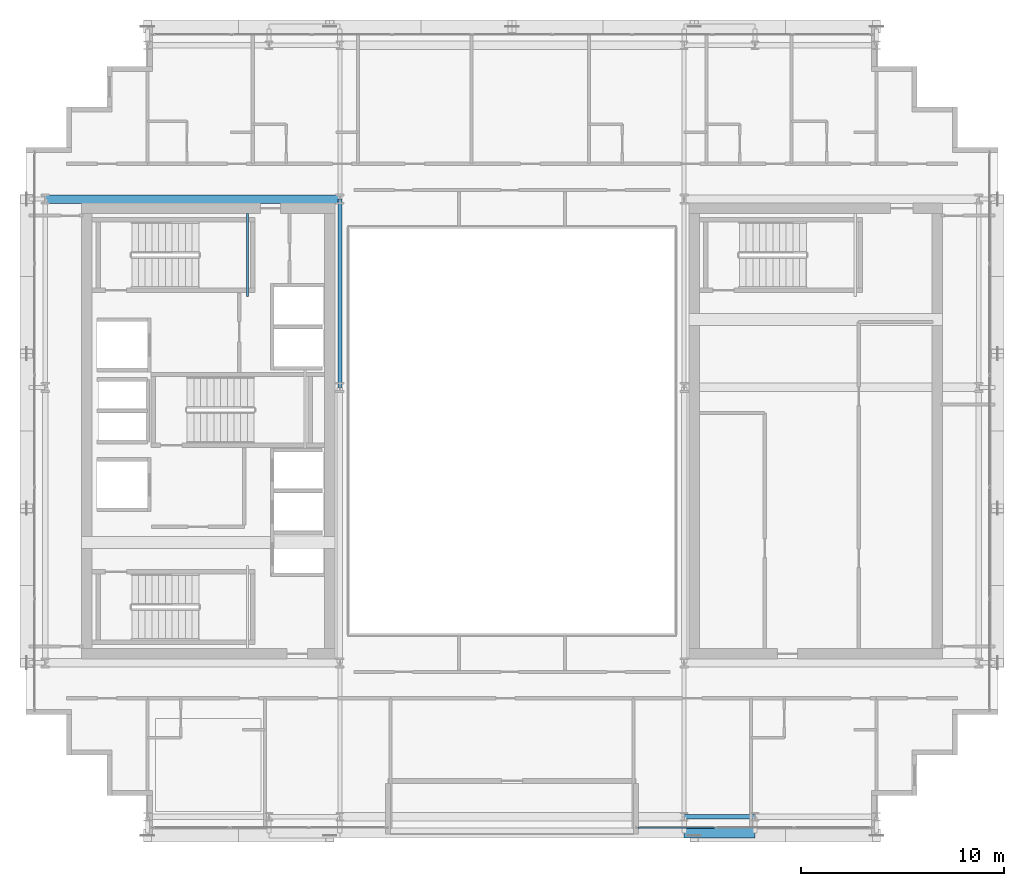
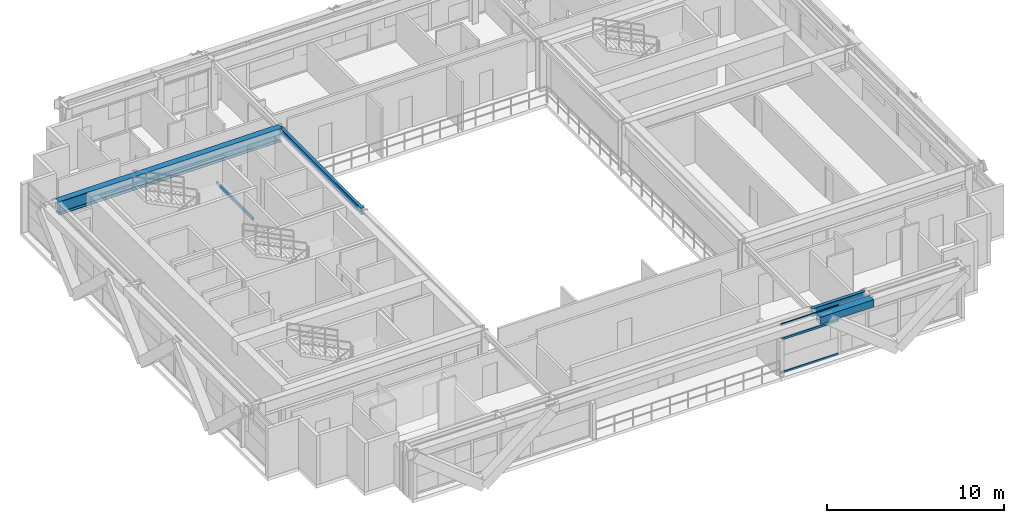
# One storey, part 9 of 32: 5 beams, 3 members, 1 element without a shape of its own.
"""IFC4 building model written with IfcOpenShell, lengths in metres."""

import ifcopenshell
import ifcopenshell.guid

model = None  # the IFC model being written
_history = None  # IfcOwnerHistory: only IFC2X3 demands one
_inside = {}  # id of a spatial element -> (the spatial element, [elements in it])
_under = {}  # id of a project, library or spatial element -> (it, [spatial elements below it])
_declared = {}  # id of a project -> (the project, [libraries it declares])
_typed = {}  # id of a type object -> (the type object, [elements of that type])
_made_of = {}  # id of a material, layer set ... -> (it, [elements and type objects made of it])


def new_model(schema):
    """Start an empty IFC model of exactly this schema.

    Asked for "IFC4X3", IfcOpenShell would pick the latest addendum, in which some entities
    have other attributes; the version numbers below select the first issue.
    IFC2X3 requires an IfcOwnerHistory on every rooted entity: one is made here for all.
    """
    global model, _history
    if schema == "IFC4X3":
        model = ifcopenshell.file(schema_version=(4, 3, 0, 0))
    else:
        model = ifcopenshell.file(schema=schema)
    _inside.clear()
    _under.clear()
    _declared.clear()
    _typed.clear()
    _made_of.clear()
    _history = None
    if model.schema == "IFC2X3":
        org = make("IfcOrganization", Name="unknown")
        user = make(
            "IfcPersonAndOrganization",
            ThePerson=make("IfcPerson", FamilyName="unknown"),
            TheOrganization=org,
        )
        app = make(
            "IfcApplication",
            ApplicationDeveloper=org,
            Version="unknown",
            ApplicationFullName="unknown",
            ApplicationIdentifier="unknown",
        )
        _history = make(
            "IfcOwnerHistory",
            OwningUser=user,
            OwningApplication=app,
            ChangeAction="ADDED",
            CreationDate=0,
        )
    return model


def make(cls, **values):
    """One entity of the class cls with the attributes given. An attribute that is None is left unset."""
    return model.create_entity(
        cls, **{name: value for name, value in values.items() if value is not None}
    )


def rooted(cls, **values):
    """An entity with a GlobalId (a new one), such as an element, a storey or a relation."""
    return make(cls, GlobalId=ifcopenshell.guid.new(), OwnerHistory=_history, **values)


def si_unit(unit_type, name, prefix=None):
    """IfcSIUnit, for example si_unit("LENGTHUNIT", "METRE", prefix="MILLI")."""
    return make("IfcSIUnit", UnitType=unit_type, Prefix=prefix, Name=name)


def assignment(units):
    """IfcUnitAssignment: the units of a project."""
    return None if units is None else make("IfcUnitAssignment", Units=units)


def point(xyz):
    """IfcCartesianPoint."""
    return None if xyz is None else make("IfcCartesianPoint", Coordinates=xyz)


def direction(xyz):
    """IfcDirection."""
    return None if xyz is None else make("IfcDirection", DirectionRatios=xyz)


def frame(location, z_axis=None, x_axis=None):
    """IfcAxis2Placement3D, a coordinate frame: its origin and axes. An axis left out is left unset."""
    return make(
        "IfcAxis2Placement3D",
        Location=point(location),
        Axis=direction(z_axis),
        RefDirection=direction(x_axis),
    )


def frame_2d(location, x_axis=None):
    """IfcAxis2Placement2D, a coordinate frame in the plane: its origin and x axis."""
    return make(
        "IfcAxis2Placement2D", Location=point(location), RefDirection=direction(x_axis)
    )


def origin():
    """The frame at (0, 0, 0) with its axes left unset."""
    return frame((0.0, 0.0, 0.0))


def origin_2d():
    """The frame at (0, 0) in the plane with its x axis left unset."""
    return frame_2d((0.0, 0.0))


def place(relative_to, where):
    """IfcLocalPlacement: puts the frame where relative to a parent placement (None: the world)."""
    return make(
        "IfcLocalPlacement", PlacementRelTo=relative_to, RelativePlacement=where
    )


def context(
    kind, dimensions, precision=None, world=None, true_north=None, identifier=None
):
    """IfcGeometricRepresentationContext, for example the 3D "Model" context."""
    return make(
        "IfcGeometricRepresentationContext",
        ContextIdentifier=identifier,
        ContextType=kind,
        CoordinateSpaceDimension=dimensions,
        Precision=precision,
        WorldCoordinateSystem=world,
        TrueNorth=true_north,
    )


def subcontext(parent, identifier, kind, view, scale=None):
    """IfcGeometricRepresentationSubContext, for example "Body" below "Model"."""
    return make(
        "IfcGeometricRepresentationSubContext",
        ContextIdentifier=identifier,
        ContextType=kind,
        ParentContext=parent,
        TargetScale=scale,
        TargetView=view,
    )


def project(units=None, contexts=None):
    """IfcProject with its units and contexts."""
    return rooted(
        "IfcProject",
        Name="project",
        RepresentationContexts=contexts,
        UnitsInContext=assignment(units),
    )


def spatial(cls, under=None, at=None, **own):
    """A site, building, storey or space (cls), placed at a placement, below another one or the project."""
    s = rooted(cls, ObjectPlacement=at, **own)
    if under is not None:
        _under.setdefault(under.id(), (under, []))[1].append(s)
    return s


def profile(cls, at=None, kind="AREA", **sizes):
    """A parametric profile (cls). Its sizes go by their IFC names, for example OverallWidth=200.0."""
    return make(cls, ProfileType=kind, Position=at, **sizes)


def hollow_rectangle(**sizes):
    """IfcRectangleHollowProfileDef."""
    return profile("IfcRectangleHollowProfileDef", **sizes)


def i_section(**sizes):
    """IfcIShapeProfileDef."""
    return profile("IfcIShapeProfileDef", **sizes)


def extrude(swept, where, along, depth):
    """IfcExtrudedAreaSolid: the profile swept, set in the frame where, extruded along a direction by depth."""
    return make(
        "IfcExtrudedAreaSolid",
        SweptArea=swept,
        Position=where,
        ExtrudedDirection=direction(along),
        Depth=depth,
    )


def shape(context_of_items, identifier, shape_type, items):
    """IfcShapeRepresentation: the items that make up one representation, for example the "Body"."""
    return make(
        "IfcShapeRepresentation",
        ContextOfItems=context_of_items,
        RepresentationIdentifier=identifier,
        RepresentationType=shape_type,
        Items=items,
    )


def source(mapping_origin, context_of_items, identifier, shape_type, items):
    """IfcRepresentationMap: a shape defined once, which mapped items show again and again."""
    return make(
        "IfcRepresentationMap",
        MappingOrigin=mapping_origin,
        MappedRepresentation=shape(context_of_items, identifier, shape_type, items),
    )


def transform(
    local_origin,
    x_axis=None,
    y_axis=None,
    z_axis=None,
    scale=None,
    scale2=None,
    scale3=None,
    uniform=True,
):
    """IfcCartesianTransformationOperator3D, or its non-uniform kind. x_axis, y_axis, z_axis: its Axis1, 2, 3."""
    if uniform:
        return make(
            "IfcCartesianTransformationOperator3D",
            Axis1=direction(x_axis),
            Axis2=direction(y_axis),
            LocalOrigin=point(local_origin),
            Scale=scale,
            Axis3=direction(z_axis),
        )
    return make(
        "IfcCartesianTransformationOperator3DnonUniform",
        Axis1=direction(x_axis),
        Axis2=direction(y_axis),
        LocalOrigin=point(local_origin),
        Scale=scale,
        Axis3=direction(z_axis),
        Scale2=scale2,
        Scale3=scale3,
    )


def mapped(mapping_source, mapping_target):
    """IfcMappedItem: shows the shape of a source again, moved by a transform."""
    return make(
        "IfcMappedItem", MappingSource=mapping_source, MappingTarget=mapping_target
    )


def material(Name=None, Category=None):
    """IfcMaterial."""
    return make("IfcMaterial", Name=Name, Category=Category)


def layer(
    of_material, thickness, ventilated=None, Name=None, Category=None, Priority=None
):
    """IfcMaterialLayer: one layer of a wall or slab, of a material (None: an air gap)."""
    return make(
        "IfcMaterialLayer",
        Material=of_material,
        LayerThickness=thickness,
        IsVentilated=ventilated,
        Name=Name,
        Category=Category,
        Priority=Priority,
    )


def layer_set(layers, Name=None):
    """IfcMaterialLayerSet."""
    return make("IfcMaterialLayerSet", MaterialLayers=layers, LayerSetName=Name)


def material_profile(
    of_material, cross_section, Name=None, Category=None, Priority=None
):
    """IfcMaterialProfile: a cross section and its material."""
    return make(
        "IfcMaterialProfile",
        Name=Name,
        Material=of_material,
        Profile=cross_section,
        Priority=Priority,
        Category=Category,
    )


def profile_set(profiles, Name=None, composite=None):
    """IfcMaterialProfileSet."""
    return make(
        "IfcMaterialProfileSet",
        Name=Name,
        MaterialProfiles=profiles,
        CompositeProfile=composite,
    )


def made_of(thing, what):
    """Note that an element or type object is made of a material, layer set ...; save() writes the relation."""
    if what is not None:
        _made_of.setdefault(what.id(), (what, []))[1].append(thing)
    return thing


def type_object(cls, material=None, **own):
    """A type object (cls), such as IfcWallType, which elements share."""
    return made_of(rooted(cls, **own), material)


def element(
    cls,
    number,
    at=None,
    inside=None,
    cuts=None,
    type_object=None,
    material=None,
    context=None,
    identifier="Body",
    shape_type=None,
    held_by="IfcProductDefinitionShape",
    body=None,
    shapes=None,
    **own,
):
    """One element of the class cls, such as IfcWall. Its Tag is "e" and its number.

    at: its placement. inside: the storey or other place that contains it. cuts: it is an
    opening in that element (IfcRelVoidsElement). A single representation is given by context,
    identifier, shape_type and body (its items); several are given by shapes. held_by: the class
    of the entity that holds the representations. save() writes the other relations.
    """
    e = rooted(cls, Tag="e%d" % number, ObjectPlacement=at, **own)
    if body is not None:
        shapes = [shape(context, identifier, shape_type, body)]
    if shapes is not None:
        e.Representation = make(held_by, Representations=shapes)
    if inside is not None:
        _inside.setdefault(inside.id(), (inside, []))[1].append(e)
    if cuts is not None:
        rooted(
            "IfcRelVoidsElement", RelatingBuildingElement=cuts, RelatedOpeningElement=e
        )
    if type_object is not None:
        _typed.setdefault(type_object.id(), (type_object, []))[1].append(e)
    return made_of(e, material)


def aggregate(whole, parts):
    """IfcRelAggregates: a whole, such as a stair, and the parts it consists of."""
    return rooted("IfcRelAggregates", RelatingObject=whole, RelatedObjects=parts)


def save(model, path):
    """Write the relations noted so far, then the file.

    IfcRelAggregates (storeys below a building ...), IfcRelContainedInSpatialStructure (elements
    in a storey), IfcRelDefinesByType, IfcRelAssociatesMaterial and IfcRelDeclares: one each for
    every whole, place, type object, material and project.
    """
    for whole, parts in _under.values():
        aggregate(whole, parts)
    for where, things in _inside.values():
        rooted(
            "IfcRelContainedInSpatialStructure",
            RelatedElements=things,
            RelatingStructure=where,
        )
    for kind, things in _typed.values():
        rooted("IfcRelDefinesByType", RelatedObjects=things, RelatingType=kind)
    for what, things in _made_of.values():
        rooted("IfcRelAssociatesMaterial", RelatedObjects=things, RelatingMaterial=what)
    for by, libraries in _declared.values():
        rooted("IfcRelDeclares", RelatingContext=by, RelatedDefinitions=libraries)
    model.write(path)


model = new_model("IFC4")

# Units and contexts
model_context = context("Model", 3, precision=1e-05, world=origin(), true_north=direction((0.0, 1.0)))
body_context = subcontext(model_context, "Body", "Model", "MODEL_VIEW")
ifc_project = project(units=[si_unit("LENGTHUNIT", "METRE"), si_unit("AREAUNIT", "SQUARE_METRE"), si_unit("VOLUMEUNIT", "CUBIC_METRE"), si_unit("PLANEANGLEUNIT", "RADIAN"), si_unit("MASSUNIT", "GRAM", prefix="KILO")], contexts=[model_context])

# Site, building, storey
site_placement = place(None, origin())
site = spatial("IfcSite", under=ifc_project, at=site_placement, CompositionType="ELEMENT")
building_placement = place(site_placement, origin())
building = spatial("IfcBuilding", under=site, at=building_placement, Name="Ocotamira Hotel", CompositionType="ELEMENT")
storey_placement = place(building_placement, frame((0.0, 0.0, 184.800048828125)))
storey = spatial("IfcBuildingStorey", under=building, at=storey_placement, Name="L46", CompositionType="ELEMENT", Elevation=184.800048828125)

# Beams
ifc_material_1 = material(Name="Steel ASTM A500 Grade C", Category="steel")
ifc_material_profile_1 = material_profile(ifc_material_1, hollow_rectangle(XDim=0.10009765625, YDim=0.199951171875, WallThickness=0.008056640625, at=origin_2d()), Name="HSS200X100X8")
ifc_profile_set_1 = profile_set([ifc_material_profile_1], Name="Steel ASTM A500 Grade C")
beam_type_1 = type_object("IfcBeamType", Name="BM-STLDG-HSS200", PredefinedType="BEAM", material=ifc_profile_set_1)
shared_shape_1 = source(origin(), body_context, "Body", "SweptSolid", [
    extrude(hollow_rectangle(XDim=0.10009765625, YDim=0.199951171875, WallThickness=0.008056640625, at=origin_2d()), origin(), (0.0, 0.0, 1.0), 4.1201171875),
])
beam_1_placement = place(storey_placement, frame((18.949951171875, 32.6298828125, 1.5), z_axis=(0.0, 1.0, 0.0), x_axis=(-1.0, 0.0, 0.0)))
element("IfcBeam", 1, at=beam_1_placement, inside=storey, type_object=beam_type_1, Name="L46 Stair ST-2 Landing Bearer 1", PredefinedType="BEAM", context=body_context, shape_type="MappedRepresentation", body=[
    mapped(shared_shape_1, transform((0.0, 0.0, 0.0), scale=1.0)),
])
ifc_material_2 = material(Name="Steel ASTM A992 Grade 50", Category="steel")
ifc_material_profile_2 = material_profile(ifc_material_2, i_section(OverallWidth=0.41796875, OverallDepth=0.927001953125, WebThickness=0.019287109375, FlangeThickness=0.031982421875, FilletRadius=0.02392578125, at=origin_2d()), Name="W36X231")
ifc_profile_set_2 = profile_set([ifc_material_profile_2], Name="Steel ASTM A992 Grade 50")
beam_type_2 = type_object("IfcBeamType", Name="BM-GIRD-W36X231", PredefinedType="BEAM", material=ifc_profile_set_2)
shared_shape_2 = source(origin(), body_context, "Body", "SweptSolid", [
    extrude(i_section(OverallWidth=0.41796875, OverallDepth=0.927001953125, WebThickness=0.019287109375, FlangeThickness=0.031982421875, FilletRadius=0.02392578125, at=origin_2d()), origin(), (0.0, 0.0, 1.0), 14.550048828125),
])
beam_2_placement = place(storey_placement, frame((8.949951171875, 37.449951171875, 2.906494140625), z_axis=(1.0, 0.0, 0.0), x_axis=(0.0, 1.0, 0.0)))
element("IfcBeam", 2, at=beam_2_placement, inside=storey, type_object=beam_type_2, Name="L46 Girder Y37.45 X8.95-23.5", PredefinedType="BEAM", context=body_context, shape_type="MappedRepresentation", body=[
    mapped(shared_shape_2, transform((0.0, 0.0, 0.0), scale=1.0)),
])
ifc_material_profile_3 = material_profile(ifc_material_2, i_section(OverallWidth=0.2099609375, OverallDepth=0.537109375, WebThickness=0.010986328125, FlangeThickness=0.017333984375, FilletRadius=0.012939453125, at=origin_2d()), Name="W21X68")
ifc_profile_set_3 = profile_set([ifc_material_profile_3], Name="Steel ASTM A992 Grade 50")
beam_type_3 = type_object("IfcBeamType", Name="BM-SEC-W21X68", PredefinedType="JOIST", material=ifc_profile_set_3)
shared_shape_3 = source(origin(), body_context, "Body", "SweptSolid", [
    extrude(i_section(OverallWidth=0.2099609375, OverallDepth=0.537109375, WebThickness=0.010986328125, FlangeThickness=0.017333984375, FilletRadius=0.012939453125, at=origin_2d()), origin(), (0.0, 0.0, 1.0), 3.5),
])
beam_3_placement = place(storey_placement, frame((40.5, 6.949951171875, 3.1015625), z_axis=(1.0, 0.0, 0.0), x_axis=(0.0, 1.0, 0.0)))
element("IfcBeam", 3, at=beam_3_placement, inside=storey, type_object=beam_type_3, Name="L46 Girder Y6.95 X40.5-44", PredefinedType="JOIST", context=body_context, shape_type="MappedRepresentation", body=[
    mapped(shared_shape_3, transform((0.0, 0.0, 0.0), scale=1.0)),
])
ifc_material_profile_4 = material_profile(ifc_material_2, i_section(OverallWidth=0.18994140625, OverallDepth=0.45703125, WebThickness=0.009033203125, FlangeThickness=0.014404296875, FilletRadius=0.010009765625, at=origin_2d()), Name="W18X50")
ifc_profile_set_4 = profile_set([ifc_material_profile_4], Name="Steel ASTM A992 Grade 50")
beam_type_4 = type_object("IfcBeamType", Name="BM-SEC-W18X50", PredefinedType="JOIST", material=ifc_profile_set_4)
shared_shape_4 = source(origin(), body_context, "Body", "SweptSolid", [
    extrude(i_section(OverallWidth=0.18994140625, OverallDepth=0.45703125, WebThickness=0.009033203125, FlangeThickness=0.014404296875, FilletRadius=0.010009765625, at=origin_2d()), origin(), (0.0, 0.0, 1.0), 9.300048828125),
])
beam_4_placement = place(storey_placement, frame((23.5, 28.14990234375, 3.141357421875), z_axis=(0.0, 1.0, 0.0), x_axis=(-1.0, 0.0, 0.0)))
element("IfcBeam", 4, at=beam_4_placement, inside=storey, type_object=beam_type_4, Name="L46 Beam X23.5 Y28.15-37.45", PredefinedType="JOIST", context=body_context, shape_type="MappedRepresentation", body=[
    mapped(shared_shape_4, transform((0.0, 0.0, 0.0), scale=1.0)),
])
ifc_material_profile_5 = material_profile(ifc_material_1, hollow_rectangle(XDim=0.5, YDim=0.5, WallThickness=0.02001953125, at=origin_2d()), Name="HSS500X500X20")
ifc_profile_set_5 = profile_set([ifc_material_profile_5], Name="Steel ASTM A500 Grade C")
beam_type_5 = type_object("IfcBeamType", Name="BM-SPAN-HSS500", PredefinedType="USERDEFINED", material=ifc_profile_set_5)
shared_shape_5 = source(origin(), body_context, "Body", "SweptSolid", [
    extrude(hollow_rectangle(XDim=0.5, YDim=0.5, WallThickness=0.02001953125, at=origin_2d()), origin(), (0.0, 0.0, 1.0), 3.5),
])
beam_5_placement = place(storey_placement, frame((40.5, 6.14990234375, 3.119873046875), z_axis=(1.0, 0.0, 0.0), x_axis=(0.0, 1.0, 0.0)))
element("IfcBeam", 5, at=beam_5_placement, inside=storey, type_object=beam_type_5, Name="L46 Edge Spandrel S X40.5-44", ObjectType="SPANDREL", PredefinedType="USERDEFINED", context=body_context, shape_type="MappedRepresentation", body=[
    mapped(shared_shape_5, transform((0.0, 0.0, 0.0), scale=1.0)),
])

# Curtain wall, members
ifc_material_3 = material(Name="Anodised pale-metal aluminium and solar glass", Category="aluminium")
ifc_layer = layer(ifc_material_3, 0.199951171875)
ifc_layer_set = layer_set([ifc_layer], Name="Anodised pale-metal aluminium and solar glass")
curtain_wall_type = type_object("IfcCurtainWallType", Name="CW-SYS4-Z3", PredefinedType="NOTDEFINED", material=ifc_layer_set)
curtain_wall_placement = place(storey_placement, origin())
curtain_wall = element("IfcCurtainWall", 6, at=curtain_wall_placement, inside=storey, type_object=curtain_wall_type, Name="L46 Curtain Wall CW-4 CW-L46-S2", PredefinedType="NOTDEFINED")
ifc_material_4 = material(Name="Anodised pale-metal aluminium 6063-T6", Category="aluminium")
ifc_material_profile_6 = material_profile(ifc_material_4, hollow_rectangle(XDim=0.074951171875, YDim=0.14990234375, WallThickness=0.006103515625, at=origin_2d()), Name="HSS150X75X6")
ifc_profile_set_6 = profile_set([ifc_material_profile_6], Name="Anodised pale-metal aluminium 6063-T6")
member_type = type_object("IfcMemberType", Name="CWT-150X75", PredefinedType="USERDEFINED", material=ifc_profile_set_6)
shared_shape_6 = source(origin(), body_context, "Body", "SweptSolid", [
    extrude(hollow_rectangle(XDim=0.074951171875, YDim=0.14990234375, WallThickness=0.006103515625, at=origin_2d()), origin(), (0.0, 0.0, 1.0), 3.763427734375),
])
member_1_placement = place(storey_placement, frame((38.22998046875, 6.419921875, 0.037353515625), z_axis=(1.0, 0.0, 0.0), x_axis=(0.0, 1.0, 0.0)))
member_1 = element("IfcMember", 7, at=member_1_placement, type_object=member_type, Name="CW-4 transom 1.1", ObjectType="TRANSOM", PredefinedType="USERDEFINED", context=body_context, shape_type="MappedRepresentation", body=[
    mapped(shared_shape_6, transform((0.0, 0.0, 0.0), scale=1.0)),
])
member_2_placement = place(storey_placement, frame((38.22998046875, 6.419921875, 2.349853515625), z_axis=(1.0, 0.0, 0.0), x_axis=(0.0, 1.0, 0.0)))
member_2 = element("IfcMember", 8, at=member_2_placement, type_object=member_type, Name="CW-4 transom 1.2", ObjectType="TRANSOM", PredefinedType="USERDEFINED", context=body_context, shape_type="MappedRepresentation", body=[
    mapped(shared_shape_6, transform((0.0, 0.0, 0.0), scale=1.0)),
])
member_3_placement = place(storey_placement, frame((38.22998046875, 6.419921875, 3.33251953125), z_axis=(1.0, 0.0, 0.0), x_axis=(0.0, 1.0, 0.0)))
member_3 = element("IfcMember", 9, at=member_3_placement, type_object=member_type, Name="CW-4 transom 1.3", ObjectType="TRANSOM", PredefinedType="USERDEFINED", context=body_context, shape_type="MappedRepresentation", body=[
    mapped(shared_shape_6, transform((0.0, 0.0, 0.0), scale=1.0)),
])
aggregate(curtain_wall, [member_1, member_2, member_3])

save(model, "model.ifc")
